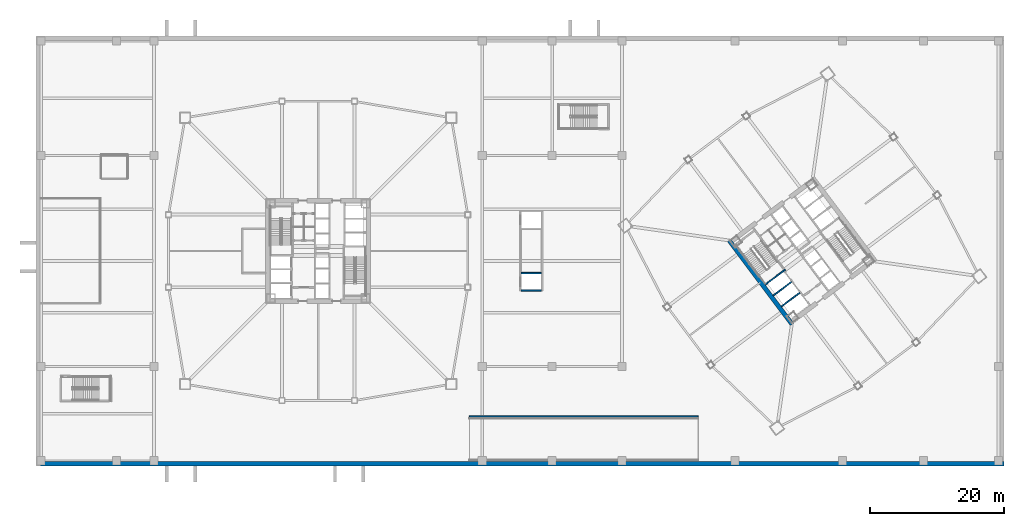
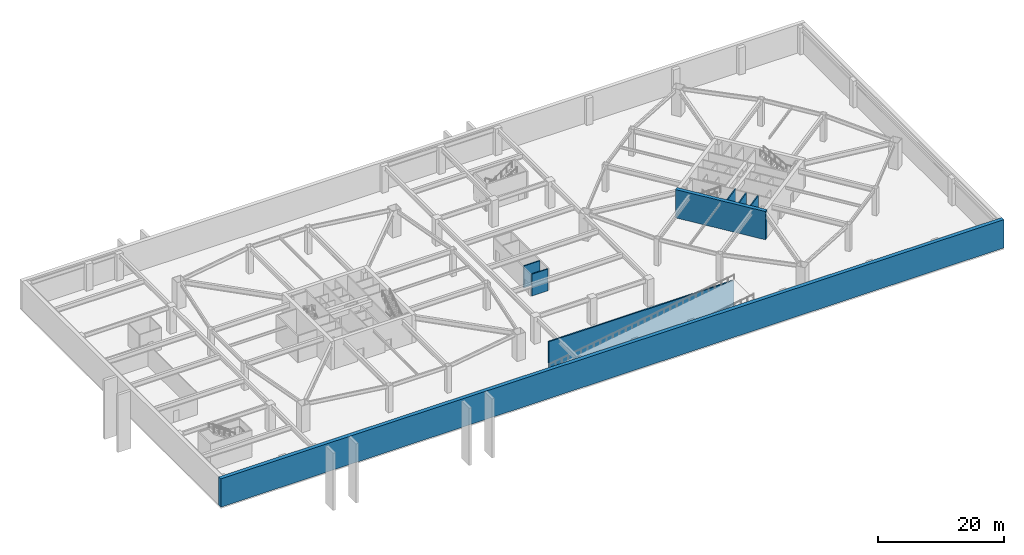
# One storey, part 9 of 17: 8 walls.
"""IFC4 building model written with IfcOpenShell, lengths in metres."""

from ifc_helpers import new_model, si_unit, direction, frame, frame_2d, origin, place, context, subcontext, project, spatial, rectangle, extrude, material, layer, layer_set, type_object, element, save


model = new_model("IFC4")

# Units and contexts
model_context = context("Model", 3, precision=1e-05, world=origin(), true_north=direction((0.0, 1.0)))
body_context = subcontext(model_context, "Body", "Model", "MODEL_VIEW")
ifc_project = project(units=[si_unit("LENGTHUNIT", "METRE"), si_unit("AREAUNIT", "SQUARE_METRE"), si_unit("VOLUMEUNIT", "CUBIC_METRE"), si_unit("PLANEANGLEUNIT", "RADIAN"), si_unit("MASSUNIT", "GRAM", prefix="KILO")], contexts=[model_context])

# Site, building, storey
site_placement = place(None, origin())
site = spatial("IfcSite", under=ifc_project, at=site_placement, CompositionType="ELEMENT")
building_placement = place(site_placement, origin())
building = spatial("IfcBuilding", under=site, at=building_placement, Name="Tashvorn Skyway Center", CompositionType="ELEMENT")
storey_placement = place(building_placement, frame((0.0, 0.0, -5.5)))
storey = spatial("IfcBuildingStorey", under=building, at=storey_placement, Name="B1", CompositionType="ELEMENT", Elevation=-5.5)

# Walls
ifc_material_1 = material(Name="Concrete C60/75", Category="concrete")
ifc_layer_1 = layer(ifc_material_1, 0.64990234375)
ifc_layer_set_1 = layer_set([ifc_layer_1], Name="Concrete C60/75")
wall_type_1 = type_object("IfcWallType", Name="WALL-CORE-650", PredefinedType="SHEAR", material=ifc_layer_set_1)
wall_1_placement = place(storey_placement, frame((112.47607421875, 21.10693359375, 0.0), z_axis=(0.0, 0.0, 1.0), x_axis=(-0.600005007985, 0.799996243986, 0.0)))
element("IfcWall", 1, at=wall_1_placement, inside=storey, type_object=wall_type_1, Name="Tower 2 B1 West Core Shear Wall", PredefinedType="SHEAR", context=body_context, shape_type="SweptSolid", body=[
    extrude(rectangle(XDim=15.60009765625, YDim=0.64990234375, at=frame_2d((7.800048828125, 0.0))), origin(), (0.0, 0.0, 1.0), 5.5),
])
ifc_layer_2 = layer(ifc_material_1, 0.699951171875)
ifc_layer_set_2 = layer_set([ifc_layer_2], Name="Concrete C60/75")
wall_type_2 = type_object("IfcWallType", Name="WALL-RET-700", PredefinedType="SOLIDWALL", material=ifc_layer_set_2)
wall_2_placement = place(storey_placement, frame((144.0, 0.35009765625, 0.0), z_axis=(0.0, 0.0, 1.0), x_axis=(-1.0, 0.0, 0.0)))
element("IfcWall", 2, at=wall_2_placement, inside=storey, type_object=wall_type_2, Name="B1 Basement Retaining Wall S", PredefinedType="SOLIDWALL", context=body_context, shape_type="SweptSolid", body=[
    extrude(rectangle(XDim=144.0, YDim=0.699951171875, at=frame_2d((72.0, 0.0))), origin(), (0.0, 0.0, 1.0), 5.5),
])
ifc_material_2 = material(Name="Concrete C40/50", Category="concrete")
ifc_layer_3 = layer(ifc_material_2, 0.199951171875)
ifc_layer_set_3 = layer_set([ifc_layer_3], Name="Concrete C40/50")
wall_type_3 = type_object("IfcWallType", Name="WALL-SHAFT-200", PredefinedType="SOLIDWALL", material=ifc_layer_set_3)
for number, where, z_axis, x_axis, name in (
    (3, (110.906005859375, 23.741943359375, 0.0), (0.0, 0.0, 1.0), (0.8, 0.6, 0.0), "Tower 2 B1 FSAE Shaft Divider"),
    (4, (109.68798828125, 25.365966796875, 0.0), (0.0, 0.0, 1.0), (0.8, 0.6, 0.0), "Tower 2 B1 FSAE Shaft Divider"),
):
    element("IfcWall", number, at=place(storey_placement, frame(where, z_axis=z_axis, x_axis=x_axis)), inside=storey, type_object=wall_type_3, Name=name, PredefinedType="SOLIDWALL", context=body_context, shape_type="SweptSolid", body=[
        extrude(rectangle(XDim=3.380126953125, YDim=0.199951171875, at=frame_2d((1.68994140625, 0.0))), origin(), (0.0, 0.0, 1.0), 5.199951171875),
    ])
for number, where, z_axis, x_axis, name in (
    (5, (72.199951171875, 26.10009765625, 0.0), (0.0, 0.0, 1.0), (1.0, 0.0, 0.0), "B1 Station Lift Divider"),
    (6, (72.199951171875, 28.699951171875, 0.0), (0.0, 0.0, 1.0), (1.0, 0.0, 0.0), "B1 Station Lift Divider"),
):
    element("IfcWall", number, at=place(storey_placement, frame(where, z_axis=z_axis, x_axis=x_axis)), inside=storey, type_object=wall_type_3, Name=name, PredefinedType="SOLIDWALL", context=body_context, shape_type="SweptSolid", body=[
        extrude(rectangle(XDim=3.0, YDim=0.199951171875, at=frame_2d((1.5, 0.0))), origin(), (0.0, 0.0, 1.0), 4.242919921875),
    ])
ifc_layer_4 = layer(ifc_material_2, 0.199951171875)
ifc_layer_set_4 = layer_set([ifc_layer_4], Name="Concrete C40/50")
wall_type_4 = type_object("IfcWallType", Name="WALL-STSHF-200", PredefinedType="SHEAR", material=ifc_layer_set_4)
wall_3_placement = place(storey_placement, frame((108.47607421875, 26.98193359375, 0.0), z_axis=(0.0, 0.0, 1.0), x_axis=(0.799984290658, 0.600020945218, 0.0)))
element("IfcWall", 7, at=wall_3_placement, inside=storey, type_object=wall_type_4, Name="Tower 2 B1 Stair 1 South Wall", PredefinedType="SHEAR", context=body_context, shape_type="SweptSolid", body=[
    extrude(rectangle(XDim=3.72998046875, YDim=0.199951171875, at=frame_2d((1.864990234375, 0.0))), origin(), (0.0, 0.0, 1.0), 5.199951171875),
])
ifc_layer_5 = layer(ifc_material_2, 0.25)
ifc_layer_set_5 = layer_set([ifc_layer_5], Name="Concrete C40/50")
wall_type_5 = type_object("IfcWallType", Name="WALL-STSHF-250", PredefinedType="SHEAR", material=ifc_layer_set_5)
wall_4_placement = place(storey_placement, frame((64.5, 7.35009765625, 0.0), z_axis=(0.0, 0.0, 1.0), x_axis=(1.0, 0.0, 0.0)))
element("IfcWall", 8, at=wall_4_placement, inside=storey, type_object=wall_type_5, Name="B1 Car Park Ramp North Fire Wall", PredefinedType="SHEAR", context=body_context, shape_type="SweptSolid", body=[
    extrude(rectangle(XDim=34.0, YDim=0.25, at=frame_2d((17.0, 0.0))), origin(), (0.0, 0.0, 1.0), 5.199951171875),
])

save(model, "model.ifc")
